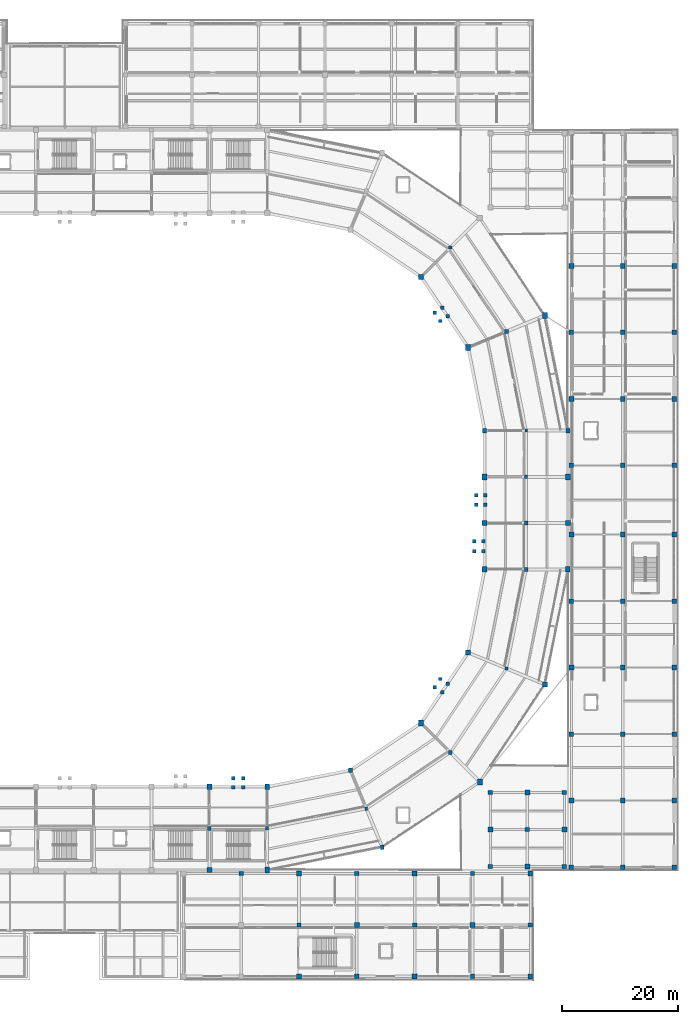
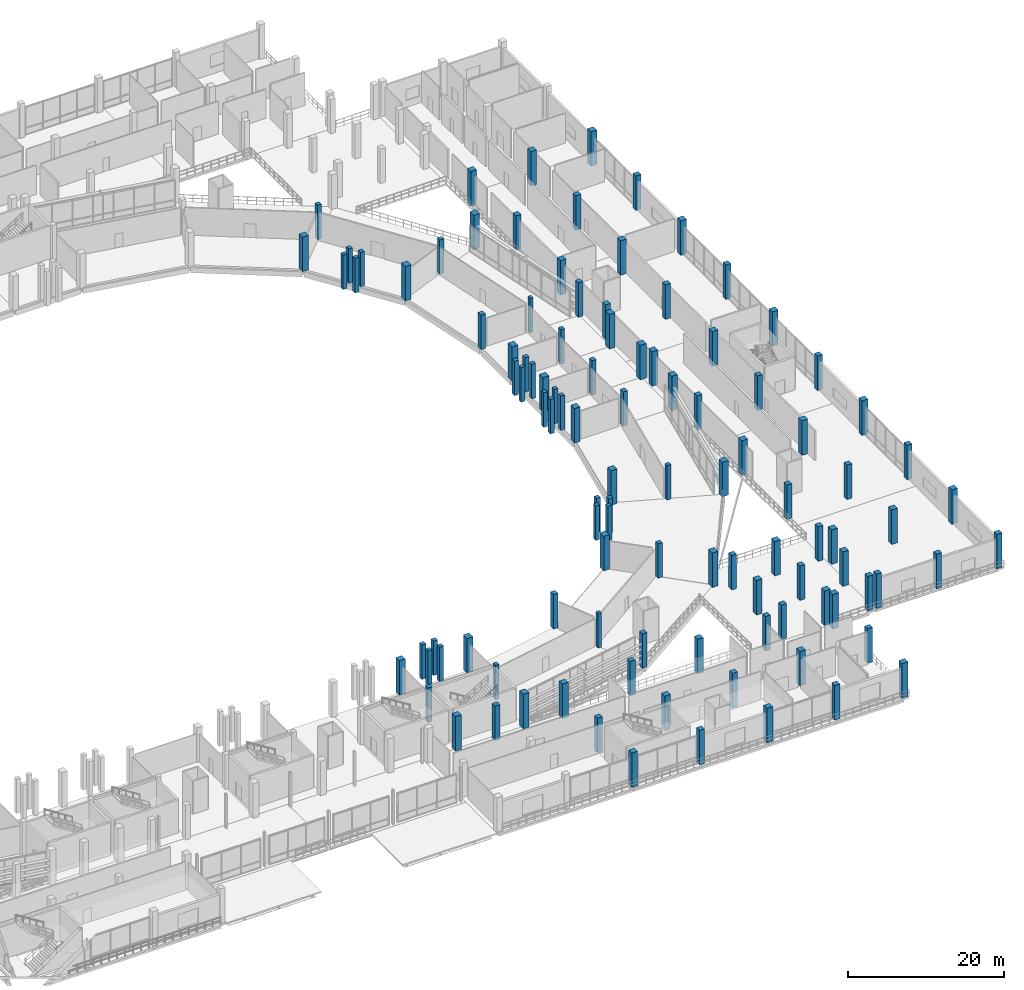
# One storey, part 5 of 114: 107 columns.
"""IFC4 building model written with IfcOpenShell, lengths in metres."""

from ifc_helpers import new_model, si_unit, direction, frame, origin, origin_2d, place, context, subcontext, project, spatial, rectangle, extrude, material, material_profile, profile_set, type_object, element, save


model = new_model("IFC4")

# Units and contexts
model_context = context("Model", 3, precision=1e-05, world=origin(), true_north=direction((0.0, 1.0)))
body_context = subcontext(model_context, "Body", "Model", "MODEL_VIEW")
ifc_project = project(units=[si_unit("LENGTHUNIT", "METRE"), si_unit("AREAUNIT", "SQUARE_METRE"), si_unit("VOLUMEUNIT", "CUBIC_METRE"), si_unit("PLANEANGLEUNIT", "RADIAN"), si_unit("MASSUNIT", "GRAM", prefix="KILO")], contexts=[model_context])

# Site, building, storey
site_placement = place(None, origin())
site = spatial("IfcSite", under=ifc_project, at=site_placement, CompositionType="ELEMENT")
building_placement = place(site_placement, origin())
building = spatial("IfcBuilding", under=site, at=building_placement, Name="Candeia Ridge Stadium", CompositionType="ELEMENT")
storey_placement = place(building_placement, frame((0.0, 0.0, 5.39990234375)))
storey = spatial("IfcBuildingStorey", under=building, at=storey_placement, Name="L01", CompositionType="ELEMENT", Elevation=5.39990234375)

# Columns
ifc_material_1 = material(Name="Concrete C45/55", Category="concrete")
ifc_material_profile_1 = material_profile(ifc_material_1, rectangle(XDim=0.89990234375, YDim=0.89990234375, at=origin_2d()), Name="RC900x900", Category="concrete")
ifc_profile_set_1 = profile_set([ifc_material_profile_1], Name="Concrete C45/55")
column_type_1 = type_object("IfcColumnType", Name="Bowl Spine Column RC900x900", PredefinedType="COLUMN", material=ifc_profile_set_1)
for number, where, z_axis, x_axis, name in (
    (1, (131.0, 33.39990234375, 0.0), (0.0, 0.0, 1.0), (1.0, 0.0, 0.0), "Structural column BC-MD-24 L01"),
    (2, (131.0, 19.0, 0.0), (0.0, 0.0, 1.0), (1.0, 0.0, 0.0), "Structural column BC-OU-24 L01"),
    (3, (175.73779296875, 56.611083984375, 0.0), (0.0, 0.0, 1.0), (1.0, 0.0, 0.0), "Structural column BC-MD-28 L01"),
    (4, (189.041748046875, 51.100341796875, 0.0), (0.0, 0.0, 1.0), (1.0, 0.0, 0.0), "Structural column BC-OU-28 L01"),
    (5, (178.60009765625, 79.0, 0.0), (0.0, 0.0, 1.0), (1.0, 0.0, 0.0), "Structural column BC-MD-30 L01"),
    (6, (193.0, 79.0, 0.0), (0.0, 0.0, 1.0), (1.0, 0.0, 0.0), "Structural column BC-OU-30 L01"),
    (7, (167.587158203125, 121.587158203125, 0.0), (0.0, 0.0, 1.0), (1.0, 0.0, 0.0), "Structural column BC-MD-34 L01"),
):
    element("IfcColumn", number, at=place(storey_placement, frame(where, z_axis=z_axis, x_axis=x_axis)), inside=storey, type_object=column_type_1, Name=name, PredefinedType="COLUMN", context=body_context, shape_type="SweptSolid", body=[
        extrude(rectangle(XDim=0.89990234375, YDim=0.89990234375, at=origin_2d()), origin(), (0.0, 0.0, 1.0), 5.400146484375),
    ])
ifc_material_2 = material(Name="Concrete C40/50", Category="concrete")
ifc_material_profile_2 = material_profile(ifc_material_2, rectangle(XDim=0.47998046875, YDim=0.56005859375, at=origin_2d()), Name="RC480x560", Category="concrete")
ifc_profile_set_2 = profile_set([ifc_material_profile_2], Name="Concrete C40/50")
column_type_2 = type_object("IfcColumnType", Name="Graduated Frame Column RC480x560", PredefinedType="COLUMN", material=ifc_profile_set_2)
for number, where, z_axis, x_axis, name in (
    (8, (158.144287109375, 29.610107421875, 0.0), (0.0, 0.0, 1.0), (1.0, 0.0, 0.0), "Structural column BC-M2-26 L01"),
    (9, (185.800048828125, 95.0, 0.0), (0.0, 0.0, 1.0), (1.0, 0.0, 0.0), "Structural column BC-M2-32 L01"),
):
    element("IfcColumn", number, at=place(storey_placement, frame(where, z_axis=z_axis, x_axis=x_axis)), inside=storey, type_object=column_type_2, Name=name, PredefinedType="COLUMN", context=body_context, shape_type="SweptSolid", body=[
        extrude(rectangle(XDim=0.47998046875, YDim=0.56005859375, at=origin_2d()), origin(), (0.0, 0.0, 1.0), 5.400146484375),
    ])
ifc_material_profile_3 = material_profile(ifc_material_2, rectangle(XDim=0.52001953125, YDim=0.6201171875, at=origin_2d()), Name="RC520x620", Category="concrete")
ifc_profile_set_3 = profile_set([ifc_material_profile_3], Name="Concrete C40/50")
column_type_3 = type_object("IfcColumnType", Name="Graduated Frame Column RC520x620", PredefinedType="COLUMN", material=ifc_profile_set_3)
for number, where, z_axis, x_axis, name in (
    (10, (141.0, 26.199951171875, 0.0), (0.0, 0.0, 1.0), (1.0, 0.0, 0.0), "Structural column BC-M2-25 L01"),
    (11, (185.800048828125, 87.0, 0.0), (0.0, 0.0, 1.0), (1.0, 0.0, 0.0), "Structural column BC-M2-31 L01"),
):
    element("IfcColumn", number, at=place(storey_placement, frame(where, z_axis=z_axis, x_axis=x_axis)), inside=storey, type_object=column_type_3, Name=name, PredefinedType="COLUMN", context=body_context, shape_type="SweptSolid", body=[
        extrude(rectangle(XDim=0.52001953125, YDim=0.6201171875, at=origin_2d()), origin(), (0.0, 0.0, 1.0), 5.400146484375),
    ])
ifc_material_profile_4 = material_profile(ifc_material_2, rectangle(XDim=0.580078125, YDim=0.580078125, at=origin_2d()), Name="RC580x580", Category="concrete")
ifc_profile_set_4 = profile_set([ifc_material_profile_4], Name="Concrete C40/50")
column_type_4 = type_object("IfcColumnType", Name="Graduated Frame Column RC580x580", PredefinedType="COLUMN", material=ifc_profile_set_4)
for number, where, z_axis, x_axis, name in (
    (12, (182.389892578125, 53.855712890625, 0.0), (0.0, 0.0, 1.0), (1.0, 0.0, 0.0), "Structural column BC-M2-28 L01"),
    (13, (172.678466796875, 126.678466796875, 0.0), (0.0, 0.0, 1.0), (1.0, 0.0, 0.0), "Structural column BC-M2-34 L01"),
):
    element("IfcColumn", number, at=place(storey_placement, frame(where, z_axis=z_axis, x_axis=x_axis)), inside=storey, type_object=column_type_4, Name=name, PredefinedType="COLUMN", context=body_context, shape_type="SweptSolid", body=[
        extrude(rectangle(XDim=0.580078125, YDim=0.580078125, at=origin_2d()), origin(), (0.0, 0.0, 1.0), 5.400146484375),
    ])
ifc_material_profile_5 = material_profile(ifc_material_2, rectangle(XDim=0.580078125, YDim=0.679931640625, at=origin_2d()), Name="RC580x680", Category="concrete")
ifc_profile_set_5 = profile_set([ifc_material_profile_5], Name="Concrete C40/50")
column_type_5 = type_object("IfcColumnType", Name="Graduated Frame Column RC580x680", PredefinedType="COLUMN", material=ifc_profile_set_5)
for number, where, z_axis, x_axis, name in (
    (14, (131.0, 26.199951171875, 0.0), (0.0, 0.0, 1.0), (1.0, 0.0, 0.0), "Structural column BC-M2-24 L01"),
    (15, (185.800048828125, 79.0, 0.0), (0.0, 0.0, 1.0), (1.0, 0.0, 0.0), "Structural column BC-M2-30 L01"),
):
    element("IfcColumn", number, at=place(storey_placement, frame(where, z_axis=z_axis, x_axis=x_axis)), inside=storey, type_object=column_type_5, Name=name, PredefinedType="COLUMN", context=body_context, shape_type="SweptSolid", body=[
        extrude(rectangle(XDim=0.580078125, YDim=0.679931640625, at=origin_2d()), origin(), (0.0, 0.0, 1.0), 5.400146484375),
    ])
ifc_material_profile_6 = material_profile(ifc_material_2, rectangle(XDim=0.6201171875, YDim=0.6201171875, at=origin_2d()), Name="RC620x620", Category="concrete")
ifc_profile_set_6 = profile_set([ifc_material_profile_6], Name="Concrete C40/50")
column_type_6 = type_object("IfcColumnType", Name="Graduated Frame Column RC620x620", PredefinedType="COLUMN", material=ifc_profile_set_6)
for number, where, z_axis, x_axis, name in (
    (16, (172.678466796875, 39.321533203125, 0.0), (0.0, 0.0, 1.0), (1.0, 0.0, 0.0), "Structural column BC-M2-27 L01"),
    (17, (182.389892578125, 112.144287109375, 0.0), (0.0, 0.0, 1.0), (1.0, 0.0, 0.0), "Structural column BC-M2-33 L01"),
):
    element("IfcColumn", number, at=place(storey_placement, frame(where, z_axis=z_axis, x_axis=x_axis)), inside=storey, type_object=column_type_6, Name=name, PredefinedType="COLUMN", context=body_context, shape_type="SweptSolid", body=[
        extrude(rectangle(XDim=0.6201171875, YDim=0.6201171875, at=origin_2d()), origin(), (0.0, 0.0, 1.0), 5.400146484375),
    ])
ifc_material_profile_7 = material_profile(ifc_material_2, rectangle(XDim=0.6201171875, YDim=0.719970703125, at=origin_2d()), Name="RC620x720", Category="concrete")
ifc_profile_set_7 = profile_set([ifc_material_profile_7], Name="Concrete C40/50")
column_type_7 = type_object("IfcColumnType", Name="Graduated Frame Column RC620x720", PredefinedType="COLUMN", material=ifc_profile_set_7)
column_placement = place(storey_placement, frame((185.800048828125, 71.0, 0.0), z_axis=(0.0, 0.0, 1.0), x_axis=(1.0, 0.0, 0.0)))
element("IfcColumn", 18, at=column_placement, inside=storey, type_object=column_type_7, Name="Structural column BC-M2-29 L01", PredefinedType="COLUMN", context=body_context, shape_type="SweptSolid", body=[
    extrude(rectangle(XDim=0.6201171875, YDim=0.719970703125, at=origin_2d()), origin(), (0.0, 0.0, 1.0), 5.400146484375),
])
ifc_material_profile_8 = material_profile(ifc_material_2, rectangle(XDim=0.679931640625, YDim=0.760009765625, at=origin_2d()), Name="RC680x760", Category="concrete")
ifc_profile_set_8 = profile_set([ifc_material_profile_8], Name="Concrete C40/50")
column_type_8 = type_object("IfcColumnType", Name="Graduated Frame Column RC680x760", PredefinedType="COLUMN", material=ifc_profile_set_8)
for number, where, z_axis, x_axis, name in (
    (19, (155.388916015625, 36.26220703125, 0.0), (0.0, 0.0, 1.0), (1.0, 0.0, 0.0), "Structural column BC-MD-26 L01"),
    (20, (160.899658203125, 22.958251953125, 0.0), (0.0, 0.0, 1.0), (1.0, 0.0, 0.0), "Structural column BC-OU-26 L01"),
    (21, (178.60009765625, 95.0, 0.0), (0.0, 0.0, 1.0), (1.0, 0.0, 0.0), "Structural column BC-MD-32 L01"),
    (22, (193.0, 95.0, 0.0), (0.0, 0.0, 1.0), (1.0, 0.0, 0.0), "Structural column BC-OU-32 L01"),
):
    element("IfcColumn", number, at=place(storey_placement, frame(where, z_axis=z_axis, x_axis=x_axis)), inside=storey, type_object=column_type_8, Name=name, PredefinedType="COLUMN", context=body_context, shape_type="SweptSolid", body=[
        extrude(rectangle(XDim=0.679931640625, YDim=0.760009765625, at=origin_2d()), origin(), (0.0, 0.0, 1.0), 5.400146484375),
    ])
ifc_material_profile_9 = material_profile(ifc_material_1, rectangle(XDim=0.820068359375, YDim=0.949951171875, at=origin_2d()), Name="RC820x950", Category="concrete")
ifc_profile_set_9 = profile_set([ifc_material_profile_9], Name="Concrete C45/55")
column_type_9 = type_object("IfcColumnType", Name="Graduated Frame Column RC820x950", PredefinedType="COLUMN", material=ifc_profile_set_9)
for number, where, z_axis, x_axis, name in (
    (23, (178.60009765625, 71.0, 0.0), (0.0, 0.0, 1.0), (1.0, 0.0, 0.0), "Structural column BC-MD-29 L01"),
    (24, (193.0, 71.0, 0.0), (0.0, 0.0, 1.0), (1.0, 0.0, 0.0), "Structural column BC-OU-29 L01"),
):
    element("IfcColumn", number, at=place(storey_placement, frame(where, z_axis=z_axis, x_axis=x_axis)), inside=storey, type_object=column_type_9, Name=name, PredefinedType="COLUMN", context=body_context, shape_type="SweptSolid", body=[
        extrude(rectangle(XDim=0.820068359375, YDim=0.949951171875, at=origin_2d()), origin(), (0.0, 0.0, 1.0), 5.400146484375),
    ])
ifc_material_profile_10 = material_profile(ifc_material_2, rectangle(XDim=0.75, YDim=0.75, at=origin_2d()), Name="RC750x750", Category="concrete")
ifc_profile_set_10 = profile_set([ifc_material_profile_10], Name="Concrete C40/50")
column_type_10 = type_object("IfcColumnType", Name="Reinforced Concrete Column RC750x750", PredefinedType="COLUMN", material=ifc_profile_set_10)
for number, where, z_axis, x_axis, name in (
    (25, (193.60009765625, 19.5, 0.0), (0.0, 0.0, 1.0), (1.0, 0.0, 0.0), "Structural column EW-00-00 L01"),
    (26, (193.60009765625, 42.5, 0.0), (0.0, 0.0, 1.0), (1.0, 0.0, 0.0), "Structural column EW-00-02 L01"),
    (27, (193.60009765625, 65.5, 0.0), (0.0, 0.0, 1.0), (1.0, 0.0, 0.0), "Structural column EW-00-04 L01"),
    (28, (193.60009765625, 89.0, 0.0), (0.0, 0.0, 1.0), (1.0, 0.0, 0.0), "Structural column EW-00-06 L01"),
    (29, (193.60009765625, 112.0, 0.0), (0.0, 0.0, 1.0), (1.0, 0.0, 0.0), "Structural column EW-00-08 L01"),
    (30, (202.5, 19.5, 0.0), (0.0, 0.0, 1.0), (1.0, 0.0, 0.0), "Structural column EW-01-00 L01"),
    (31, (202.5, 42.5, 0.0), (0.0, 0.0, 1.0), (1.0, 0.0, 0.0), "Structural column EW-01-02 L01"),
    (32, (202.5, 65.5, 0.0), (0.0, 0.0, 1.0), (1.0, 0.0, 0.0), "Structural column EW-01-04 L01"),
    (33, (202.5, 89.0, 0.0), (0.0, 0.0, 1.0), (1.0, 0.0, 0.0), "Structural column EW-01-06 L01"),
    (34, (202.5, 112.0, 0.0), (0.0, 0.0, 1.0), (1.0, 0.0, 0.0), "Structural column EW-01-08 L01"),
    (35, (211.39990234375, 19.5, 0.0), (0.0, 0.0, 1.0), (1.0, 0.0, 0.0), "Structural column EW-02-00 L01"),
    (36, (211.39990234375, 42.5, 0.0), (0.0, 0.0, 1.0), (1.0, 0.0, 0.0), "Structural column EW-02-02 L01"),
    (37, (211.39990234375, 65.5, 0.0), (0.0, 0.0, 1.0), (1.0, 0.0, 0.0), "Structural column EW-02-04 L01"),
    (38, (211.39990234375, 89.0, 0.0), (0.0, 0.0, 1.0), (1.0, 0.0, 0.0), "Structural column EW-02-06 L01"),
    (39, (211.39990234375, 112.0, 0.0), (0.0, 0.0, 1.0), (1.0, 0.0, 0.0), "Structural column EW-02-08 L01"),
    (40, (136.5, 18.39990234375, 0.0), (0.0, 0.0, 1.0), (1.0, 0.0, 0.0), "Structural column SWE-01-02 L01"),
    (41, (146.5, 9.5, 0.0), (0.0, 0.0, 1.0), (1.0, 0.0, 0.0), "Structural column SWE-02-01 L01"),
    (42, (156.5, 0.60009765625, 0.0), (0.0, 0.0, 1.0), (1.0, 0.0, 0.0), "Structural column SWE-03-00 L01"),
    (43, (156.5, 18.39990234375, 0.0), (0.0, 0.0, 1.0), (1.0, 0.0, 0.0), "Structural column SWE-03-02 L01"),
    (44, (166.5, 9.5, 0.0), (0.0, 0.0, 1.0), (1.0, 0.0, 0.0), "Structural column SWE-04-01 L01"),
    (45, (176.5, 0.60009765625, 0.0), (0.0, 0.0, 1.0), (1.0, 0.0, 0.0), "Structural column SWE-05-00 L01"),
    (46, (176.5, 18.39990234375, 0.0), (0.0, 0.0, 1.0), (1.0, 0.0, 0.0), "Structural column SWE-05-02 L01"),
    (47, (186.5, 9.5, 0.0), (0.0, 0.0, 1.0), (1.0, 0.0, 0.0), "Structural column SWE-06-01 L01"),
    (48, (179.60009765625, 19.60009765625, 0.0), (0.0, 0.0, 1.0), (1.0, 0.0, 0.0), "Structural column SPSE-00-00 L01"),
    (49, (179.60009765625, 32.39990234375, 0.0), (0.0, 0.0, 1.0), (1.0, 0.0, 0.0), "Structural column SPSE-00-02 L01"),
    (50, (186.0, 26.0, 0.0), (0.0, 0.0, 1.0), (1.0, 0.0, 0.0), "Structural column SPSE-01-01 L01"),
    (51, (192.39990234375, 19.60009765625, 0.0), (0.0, 0.0, 1.0), (1.0, 0.0, 0.0), "Structural column SPSE-02-00 L01"),
    (52, (192.39990234375, 32.39990234375, 0.0), (0.0, 0.0, 1.0), (1.0, 0.0, 0.0), "Structural column SPSE-02-02 L01"),
):
    element("IfcColumn", number, at=place(storey_placement, frame(where, z_axis=z_axis, x_axis=x_axis)), inside=storey, type_object=column_type_10, Name=name, PredefinedType="COLUMN", context=body_context, shape_type="SweptSolid", body=[
        extrude(rectangle(XDim=0.75, YDim=0.75, at=origin_2d()), origin(), (0.0, 0.0, 1.0), 5.400146484375),
    ])
ifc_material_profile_11 = material_profile(ifc_material_1, rectangle(XDim=0.85009765625, YDim=1.0, at=origin_2d()), Name="RC850x1000", Category="concrete")
ifc_profile_set_11 = profile_set([ifc_material_profile_11], Name="Concrete C45/55")
column_type_11 = type_object("IfcColumnType", Name="Reinforced Concrete Column RC850x1000", PredefinedType="COLUMN", material=ifc_profile_set_11)
for number, where, z_axis, x_axis, name in (
    (53, (141.0, 33.39990234375, 0.0), (0.0, 0.0, 1.0), (1.0, 0.0, 0.0), "Structural column BC-MD-25 L01"),
    (54, (141.0, 19.0, 0.0), (0.0, 0.0, 1.0), (1.0, 0.0, 0.0), "Structural column BC-OU-25 L01"),
    (55, (167.587158203125, 44.412841796875, 0.0), (0.0, 0.0, 1.0), (1.0, 0.0, 0.0), "Structural column BC-MD-27 L01"),
    (56, (177.76953125, 34.23046875, 0.0), (0.0, 0.0, 1.0), (1.0, 0.0, 0.0), "Structural column BC-OU-27 L01"),
    (57, (178.60009765625, 87.0, 0.0), (0.0, 0.0, 1.0), (1.0, 0.0, 0.0), "Structural column BC-MD-31 L01"),
    (58, (193.0, 87.0, 0.0), (0.0, 0.0, 1.0), (1.0, 0.0, 0.0), "Structural column BC-OU-31 L01"),
    (59, (175.73779296875, 109.388916015625, 0.0), (0.0, 0.0, 1.0), (1.0, 0.0, 0.0), "Structural column BC-MD-33 L01"),
    (60, (189.041748046875, 114.899658203125, 0.0), (0.0, 0.0, 1.0), (1.0, 0.0, 0.0), "Structural column BC-OU-33 L01"),
):
    element("IfcColumn", number, at=place(storey_placement, frame(where, z_axis=z_axis, x_axis=x_axis)), inside=storey, type_object=column_type_11, Name=name, PredefinedType="COLUMN", context=body_context, shape_type="SweptSolid", body=[
        extrude(rectangle(XDim=0.85009765625, YDim=1.0, at=origin_2d()), origin(), (0.0, 0.0, 1.0), 5.400146484375),
    ])
ifc_material_profile_12 = material_profile(ifc_material_1, rectangle(XDim=0.85009765625, YDim=0.85009765625, at=origin_2d()), Name="RC850x850", Category="concrete")
ifc_profile_set_12 = profile_set([ifc_material_profile_12], Name="Concrete C45/55")
column_type_12 = type_object("IfcColumnType", Name="Reinforced Concrete Column RC850x850", PredefinedType="COLUMN", material=ifc_profile_set_12)
for number, where, z_axis, x_axis, name in (
    (61, (193.60009765625, 31.0, 0.0), (0.0, 0.0, 1.0), (1.0, 0.0, 0.0), "Structural column EW-00-01 L01"),
    (62, (193.60009765625, 54.0, 0.0), (0.0, 0.0, 1.0), (1.0, 0.0, 0.0), "Structural column EW-00-03 L01"),
    (63, (193.60009765625, 77.0, 0.0), (0.0, 0.0, 1.0), (1.0, 0.0, 0.0), "Structural column EW-00-05 L01"),
    (64, (193.60009765625, 100.5, 0.0), (0.0, 0.0, 1.0), (1.0, 0.0, 0.0), "Structural column EW-00-07 L01"),
    (65, (193.60009765625, 123.5, 0.0), (0.0, 0.0, 1.0), (1.0, 0.0, 0.0), "Structural column EW-00-09 L01"),
    (66, (202.5, 31.0, 0.0), (0.0, 0.0, 1.0), (1.0, 0.0, 0.0), "Structural column EW-01-01 L01"),
    (67, (202.5, 54.0, 0.0), (0.0, 0.0, 1.0), (1.0, 0.0, 0.0), "Structural column EW-01-03 L01"),
    (68, (202.5, 77.0, 0.0), (0.0, 0.0, 1.0), (1.0, 0.0, 0.0), "Structural column EW-01-05 L01"),
    (69, (202.5, 100.5, 0.0), (0.0, 0.0, 1.0), (1.0, 0.0, 0.0), "Structural column EW-01-07 L01"),
    (70, (202.5, 123.5, 0.0), (0.0, 0.0, 1.0), (1.0, 0.0, 0.0), "Structural column EW-01-09 L01"),
    (71, (211.39990234375, 31.0, 0.0), (0.0, 0.0, 1.0), (1.0, 0.0, 0.0), "Structural column EW-02-01 L01"),
    (72, (211.39990234375, 54.0, 0.0), (0.0, 0.0, 1.0), (1.0, 0.0, 0.0), "Structural column EW-02-03 L01"),
    (73, (211.39990234375, 77.0, 0.0), (0.0, 0.0, 1.0), (1.0, 0.0, 0.0), "Structural column EW-02-05 L01"),
    (74, (211.39990234375, 100.5, 0.0), (0.0, 0.0, 1.0), (1.0, 0.0, 0.0), "Structural column EW-02-07 L01"),
    (75, (211.39990234375, 123.5, 0.0), (0.0, 0.0, 1.0), (1.0, 0.0, 0.0), "Structural column EW-02-09 L01"),
    (76, (146.5, 0.60009765625, 0.0), (0.0, 0.0, 1.0), (1.0, 0.0, 0.0), "Structural column SWE-02-00 L01"),
    (77, (146.5, 18.39990234375, 0.0), (0.0, 0.0, 1.0), (1.0, 0.0, 0.0), "Structural column SWE-02-02 L01"),
    (78, (156.5, 9.5, 0.0), (0.0, 0.0, 1.0), (1.0, 0.0, 0.0), "Structural column SWE-03-01 L01"),
    (79, (166.5, 0.60009765625, 0.0), (0.0, 0.0, 1.0), (1.0, 0.0, 0.0), "Structural column SWE-04-00 L01"),
    (80, (166.5, 18.39990234375, 0.0), (0.0, 0.0, 1.0), (1.0, 0.0, 0.0), "Structural column SWE-04-02 L01"),
    (81, (176.5, 9.5, 0.0), (0.0, 0.0, 1.0), (1.0, 0.0, 0.0), "Structural column SWE-05-01 L01"),
    (82, (186.5, 0.60009765625, 0.0), (0.0, 0.0, 1.0), (1.0, 0.0, 0.0), "Structural column SWE-06-00 L01"),
    (83, (186.5, 18.39990234375, 0.0), (0.0, 0.0, 1.0), (1.0, 0.0, 0.0), "Structural column SWE-06-02 L01"),
    (84, (179.60009765625, 26.0, 0.0), (0.0, 0.0, 1.0), (1.0, 0.0, 0.0), "Structural column SPSE-00-01 L01"),
    (85, (186.0, 19.60009765625, 0.0), (0.0, 0.0, 1.0), (1.0, 0.0, 0.0), "Structural column SPSE-01-00 L01"),
    (86, (186.0, 32.39990234375, 0.0), (0.0, 0.0, 1.0), (1.0, 0.0, 0.0), "Structural column SPSE-01-02 L01"),
    (87, (192.39990234375, 26.0, 0.0), (0.0, 0.0, 1.0), (1.0, 0.0, 0.0), "Structural column SPSE-02-01 L01"),
):
    element("IfcColumn", number, at=place(storey_placement, frame(where, z_axis=z_axis, x_axis=x_axis)), inside=storey, type_object=column_type_12, Name=name, PredefinedType="COLUMN", context=body_context, shape_type="SweptSolid", body=[
        extrude(rectangle(XDim=0.85009765625, YDim=0.85009765625, at=origin_2d()), origin(), (0.0, 0.0, 1.0), 5.400146484375),
    ])
ifc_material_profile_13 = material_profile(ifc_material_2, rectangle(XDim=0.60009765625, YDim=0.60009765625, at=origin_2d()), Name="RC600x600", Category="concrete")
ifc_profile_set_13 = profile_set([ifc_material_profile_13], Name="Concrete C40/50")
column_type_13 = type_object("IfcColumnType", Name="Wing Column RC600x600", PredefinedType="COLUMN", material=ifc_profile_set_13)
for number, where, z_axis, x_axis, name in (
    (88, (178.3701171875, 75.85009765625, 0.0), (0.0, 0.0, 1.0), (1.0, 0.0, 0.0), "Vomitory VS24 landing support column 1 L01"),
    (89, (176.820068359375, 75.85009765625, 0.0), (0.0, 0.0, 1.0), (1.0, 0.0, 0.0), "Vomitory VS24 landing support column 2 L01"),
    (90, (176.820068359375, 74.14990234375, 0.0), (0.0, 0.0, 1.0), (1.0, 0.0, 0.0), "Vomitory VS24 landing support column 3 L01"),
    (91, (178.3701171875, 74.14990234375, 0.0), (0.0, 0.0, 1.0), (1.0, 0.0, 0.0), "Vomitory VS24 landing support column 4 L01"),
    (92, (136.85009765625, 33.318115234375, 0.0), (0.0, 0.0, 1.0), (1.0, 0.0, 0.0), "Vomitory VS33 landing support column 1 L01"),
    (93, (136.85009765625, 34.867919921875, 0.0), (0.0, 0.0, 1.0), (1.0, 0.0, 0.0), "Vomitory VS33 landing support column 2 L01"),
    (94, (135.14990234375, 34.867919921875, 0.0), (0.0, 0.0, 1.0), (1.0, 0.0, 0.0), "Vomitory VS33 landing support column 3 L01"),
    (95, (135.14990234375, 33.318115234375, 0.0), (0.0, 0.0, 1.0), (1.0, 0.0, 0.0), "Vomitory VS33 landing support column 4 L01"),
    (96, (172.196044921875, 51.177734375, 0.0), (0.0, 0.0, 1.0), (1.0, 0.0, 0.0), "Vomitory VS34 landing support column 1 L01"),
    (97, (170.9072265625, 52.038818359375, 0.0), (0.0, 0.0, 1.0), (1.0, 0.0, 0.0), "Vomitory VS34 landing support column 2 L01"),
    (98, (169.962890625, 50.62548828125, 0.0), (0.0, 0.0, 1.0), (1.0, 0.0, 0.0), "Vomitory VS34 landing support column 3 L01"),
    (99, (171.251708984375, 49.76416015625, 0.0), (0.0, 0.0, 1.0), (1.0, 0.0, 0.0), "Vomitory VS34 landing support column 4 L01"),
    (100, (178.681884765625, 83.85009765625, 0.0), (0.0, 0.0, 1.0), (1.0, 0.0, 0.0), "Vomitory VS35 landing support column 1 L01"),
    (101, (177.132080078125, 83.85009765625, 0.0), (0.0, 0.0, 1.0), (1.0, 0.0, 0.0), "Vomitory VS35 landing support column 2 L01"),
    (102, (177.132080078125, 82.14990234375, 0.0), (0.0, 0.0, 1.0), (1.0, 0.0, 0.0), "Vomitory VS35 landing support column 3 L01"),
    (103, (178.681884765625, 82.14990234375, 0.0), (0.0, 0.0, 1.0), (1.0, 0.0, 0.0), "Vomitory VS35 landing support column 4 L01"),
    (104, (171.251708984375, 116.23583984375, 0.0), (0.0, 0.0, 1.0), (1.0, 0.0, 0.0), "Vomitory VS36 landing support column 1 L01"),
    (105, (169.962890625, 115.37451171875, 0.0), (0.0, 0.0, 1.0), (1.0, 0.0, 0.0), "Vomitory VS36 landing support column 2 L01"),
    (106, (170.9072265625, 113.961181640625, 0.0), (0.0, 0.0, 1.0), (1.0, 0.0, 0.0), "Vomitory VS36 landing support column 3 L01"),
    (107, (172.196044921875, 114.822265625, 0.0), (0.0, 0.0, 1.0), (1.0, 0.0, 0.0), "Vomitory VS36 landing support column 4 L01"),
):
    element("IfcColumn", number, at=place(storey_placement, frame(where, z_axis=z_axis, x_axis=x_axis)), inside=storey, type_object=column_type_13, Name=name, PredefinedType="COLUMN", context=body_context, shape_type="SweptSolid", body=[
        extrude(rectangle(XDim=0.60009765625, YDim=0.60009765625, at=origin_2d()), origin(), (0.0, 0.0, 1.0), 5.400146484375),
    ])

save(model, "model.ifc")
